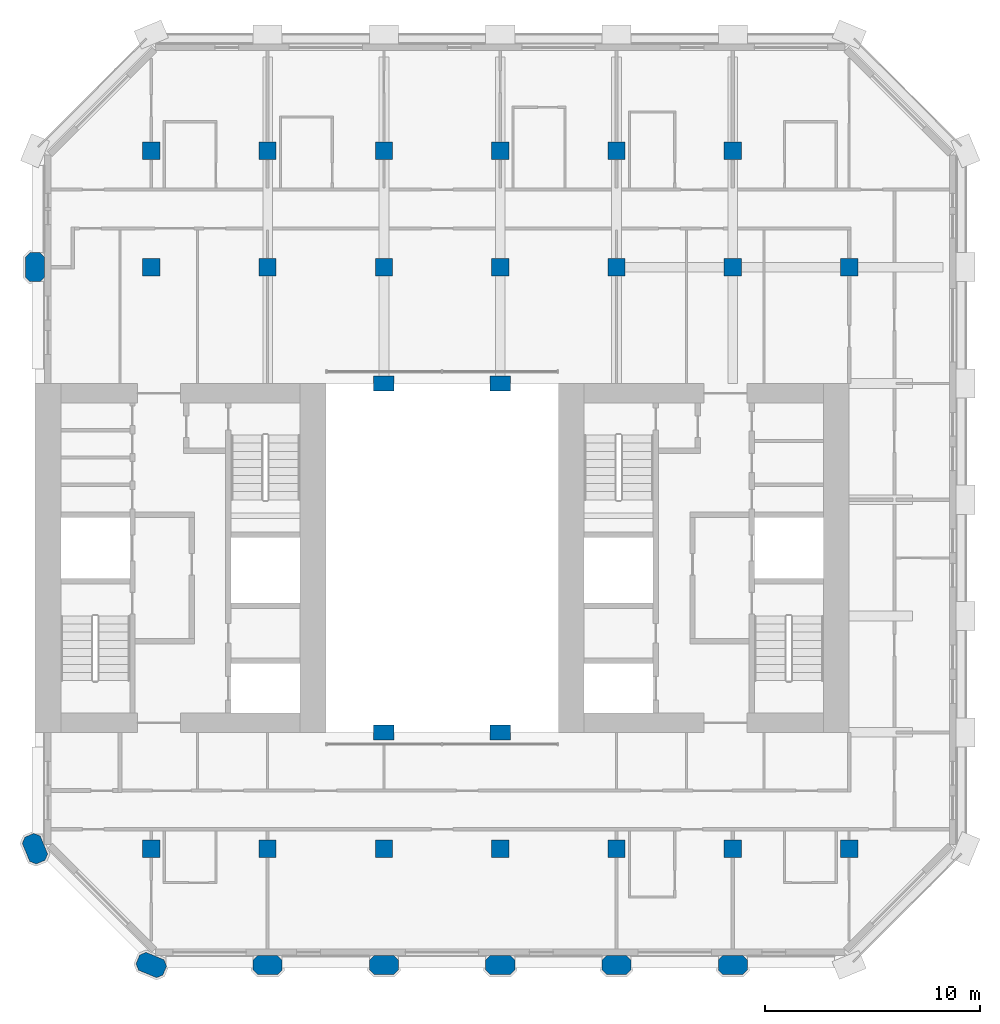
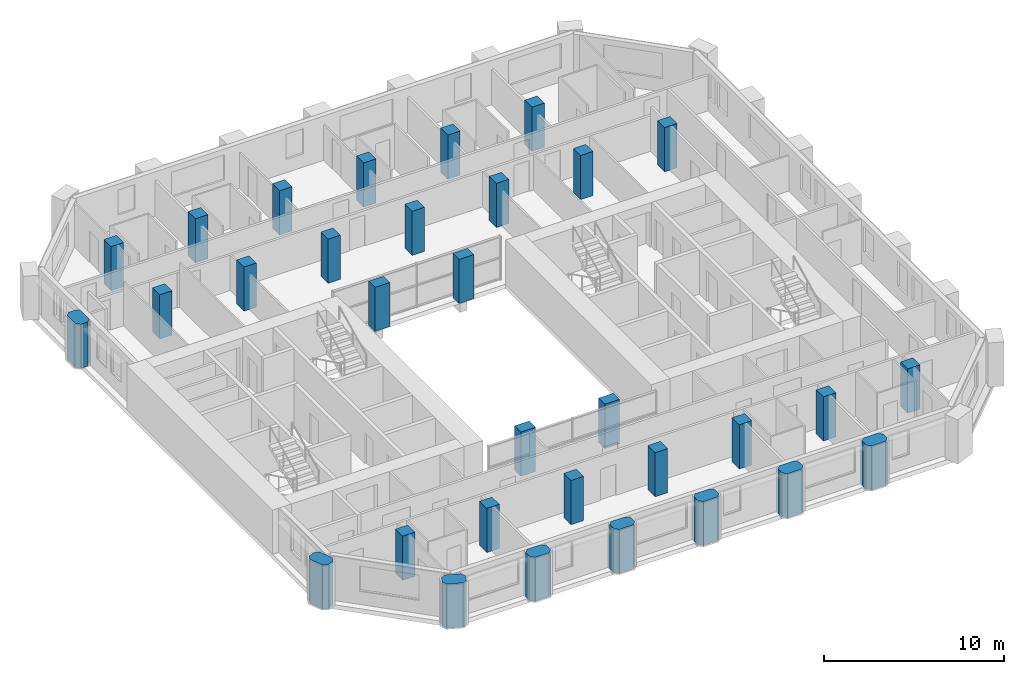
# One storey, part 1 of 12: 32 columns.
"""IFC4 building model written with IfcOpenShell, lengths in metres."""

from ifc_helpers import new_model, si_unit, direction, frame, origin, origin_2d, place, context, subcontext, project, spatial, polyline, rectangle, outline, extrude, material, material_profile, profile_set, type_object, element, save


model = new_model("IFC4")

# Units and contexts
model_context = context("Model", 3, precision=1e-05, world=origin(), true_north=direction((0.0, 1.0)))
body_context = subcontext(model_context, "Body", "Model", "MODEL_VIEW")
ifc_project = project(units=[si_unit("LENGTHUNIT", "METRE"), si_unit("AREAUNIT", "SQUARE_METRE"), si_unit("VOLUMEUNIT", "CUBIC_METRE"), si_unit("PLANEANGLEUNIT", "RADIAN"), si_unit("MASSUNIT", "GRAM", prefix="KILO")], contexts=[model_context])

# Site, building, storey
site_placement = place(None, origin())
site = spatial("IfcSite", under=ifc_project, at=site_placement, CompositionType="ELEMENT")
building_placement = place(site_placement, origin())
building = spatial("IfcBuilding", under=site, at=building_placement, Name="Tabaq Tower and Sports Hall", CompositionType="ELEMENT")
storey_placement = place(building_placement, frame((0.0, 0.0, 193.89990234375)))
storey = spatial("IfcBuildingStorey", under=building, at=storey_placement, Name="L47", CompositionType="ELEMENT", Elevation=193.89990234375)

# Columns
ifc_material_1 = material(Name="Concrete C50/60", Category="concrete")
ifc_material_profile_1 = material_profile(ifc_material_1, rectangle(XDim=0.949951171875, YDim=0.699951171875, at=origin_2d()), Name="ATRIUM COLUMN 950x700")
ifc_profile_set_1 = profile_set([ifc_material_profile_1], Name="Concrete C50/60")
column_type_1 = type_object("IfcColumnType", Name="RC COLUMN ATRIUM COLUMN 950x700 C50/60", PredefinedType="COLUMN", material=ifc_profile_set_1)
for number, where, z_axis, x_axis, name in (
    (1, (21.60009765625, 16.199951171875, 0.0), (0.0, 0.0, 1.0), (1.0, 0.0, 0.0), "Atrium Column 5/D L47"),
    (2, (27.0, 16.199951171875, 0.0), (0.0, 0.0, 1.0), (1.0, 0.0, 0.0), "Atrium Column 6/D L47"),
    (3, (21.60009765625, 32.39990234375, 0.0), (0.0, 0.0, 1.0), (1.0, 0.0, 0.0), "Atrium Column 5/G L47"),
    (4, (27.0, 32.39990234375, 0.0), (0.0, 0.0, 1.0), (1.0, 0.0, 0.0), "Atrium Column 6/G L47"),
):
    element("IfcColumn", number, at=place(storey_placement, frame(where, z_axis=z_axis, x_axis=x_axis)), inside=storey, type_object=column_type_1, Name=name, PredefinedType="COLUMN", context=body_context, shape_type="SweptSolid", body=[
        extrude(rectangle(XDim=0.949951171875, YDim=0.699951171875, at=origin_2d()), origin(), (0.0, 0.0, 1.0), 3.0),
    ])
ifc_material_2 = material(Name="Concrete C50/60", Category="concrete")
ifc_material_profile_2 = material_profile(ifc_material_2, rectangle(XDim=0.800048828125, YDim=0.800048828125, at=origin_2d()), Name="COLUMN 800x800")
ifc_profile_set_2 = profile_set([ifc_material_profile_2], Name="Concrete C50/60")
column_type_2 = type_object("IfcColumnType", Name="RC COLUMN COLUMN 800x800 C50/60", PredefinedType="COLUMN", material=ifc_profile_set_2)
for number, where, z_axis, x_axis, name in (
    (5, (10.800048828125, 10.800048828125, 0.0), (0.0, 0.0, 1.0), (1.0, 0.0, 0.0), "Column 3/C L47"),
    (6, (16.199951171875, 10.800048828125, 0.0), (0.0, 0.0, 1.0), (1.0, 0.0, 0.0), "Column 4/C L47"),
    (7, (21.60009765625, 10.800048828125, 0.0), (0.0, 0.0, 1.0), (1.0, 0.0, 0.0), "Column 5/C L47"),
    (8, (27.0, 10.800048828125, 0.0), (0.0, 0.0, 1.0), (1.0, 0.0, 0.0), "Column 6/C L47"),
    (9, (32.39990234375, 10.800048828125, 0.0), (0.0, 0.0, 1.0), (1.0, 0.0, 0.0), "Column 7/C L47"),
    (10, (37.800048828125, 10.800048828125, 0.0), (0.0, 0.0, 1.0), (1.0, 0.0, 0.0), "Column 8/C L47"),
    (11, (43.199951171875, 10.800048828125, 0.0), (0.0, 0.0, 1.0), (1.0, 0.0, 0.0), "Column 9/C L47"),
    (12, (10.800048828125, 37.800048828125, 0.0), (0.0, 0.0, 1.0), (1.0, 0.0, 0.0), "Column 3/H L47"),
    (13, (16.199951171875, 37.800048828125, 0.0), (0.0, 0.0, 1.0), (1.0, 0.0, 0.0), "Column 4/H L47"),
    (14, (21.60009765625, 37.800048828125, 0.0), (0.0, 0.0, 1.0), (1.0, 0.0, 0.0), "Column 5/H L47"),
    (15, (27.0, 37.800048828125, 0.0), (0.0, 0.0, 1.0), (1.0, 0.0, 0.0), "Column 6/H L47"),
    (16, (32.39990234375, 37.800048828125, 0.0), (0.0, 0.0, 1.0), (1.0, 0.0, 0.0), "Column 7/H L47"),
    (17, (37.800048828125, 37.800048828125, 0.0), (0.0, 0.0, 1.0), (1.0, 0.0, 0.0), "Column 8/H L47"),
    (18, (43.199951171875, 37.800048828125, 0.0), (0.0, 0.0, 1.0), (1.0, 0.0, 0.0), "Column 9/H L47"),
    (19, (10.800048828125, 43.199951171875, 0.0), (0.0, 0.0, 1.0), (1.0, 0.0, 0.0), "Column 3/I L47"),
    (20, (16.199951171875, 43.199951171875, 0.0), (0.0, 0.0, 1.0), (1.0, 0.0, 0.0), "Column 4/I L47"),
    (21, (21.60009765625, 43.199951171875, 0.0), (0.0, 0.0, 1.0), (1.0, 0.0, 0.0), "Column 5/I L47"),
    (22, (27.0, 43.199951171875, 0.0), (0.0, 0.0, 1.0), (1.0, 0.0, 0.0), "Column 6/I L47"),
    (23, (32.39990234375, 43.199951171875, 0.0), (0.0, 0.0, 1.0), (1.0, 0.0, 0.0), "Column 7/I L47"),
    (24, (37.800048828125, 43.199951171875, 0.0), (0.0, 0.0, 1.0), (1.0, 0.0, 0.0), "Column 8/I L47"),
):
    element("IfcColumn", number, at=place(storey_placement, frame(where, z_axis=z_axis, x_axis=x_axis)), inside=storey, type_object=column_type_2, Name=name, PredefinedType="COLUMN", context=body_context, shape_type="SweptSolid", body=[
        extrude(rectangle(XDim=0.800048828125, YDim=0.800048828125, at=origin_2d()), origin(), (0.0, 0.0, 1.0), 3.0),
    ])
ifc_material_3 = material(Name="Concrete C50/60", Category="concrete")
ifc_material_profile_3 = material_profile(ifc_material_3, outline(polyline([(-0.449951171875, -0.449951171875), (0.449951171875, -0.449951171875), (0.675048828125, -0.22509765625), (0.675048828125, 0.22509765625), (0.449951171875, 0.449951171875), (-0.449951171875, 0.449951171875), (-0.675048828125, 0.22509765625), (-0.675048828125, -0.22509765625), (-0.449951171875, -0.449951171875)])), Name="PIER 1350x900")
ifc_profile_set_3 = profile_set([ifc_material_profile_3], Name="Concrete C50/60")
column_type_3 = type_object("IfcColumnType", Name="RC COLUMN PIER 1350x900 C50/60", PredefinedType="COLUMN", material=ifc_profile_set_3)
for number, where, z_axis, x_axis, name in (
    (25, (10.800048828125, 5.39990234375, 0.0), (0.0, 0.0, 1.0), (-0.923879532511, 0.382683432365, 0.0), "Pier 3/B L47"),
    (26, (16.199951171875, 5.39990234375, 0.0), (0.0, 0.0, 1.0), (1.0, 0.0, 0.0), "Pier 4/B L47"),
    (27, (21.60009765625, 5.39990234375, 0.0), (0.0, 0.0, 1.0), (1.0, 0.0, 0.0), "Pier 5/B L47"),
    (28, (27.0, 5.39990234375, 0.0), (0.0, 0.0, 1.0), (1.0, 0.0, 0.0), "Pier 6/B L47"),
    (29, (32.39990234375, 5.39990234375, 0.0), (0.0, 0.0, 1.0), (1.0, 0.0, 0.0), "Pier 7/B L47"),
    (30, (37.800048828125, 5.39990234375, 0.0), (0.0, 0.0, 1.0), (1.0, 0.0, 0.0), "Pier 8/B L47"),
    (31, (5.39990234375, 10.800048828125, 0.0), (0.0, 0.0, 1.0), (-0.382683432365, 0.923879532511, 0.0), "Pier 2/C L47"),
    (32, (5.39990234375, 37.800048828125, 0.0), (0.0, 0.0, 1.0), (0.0, 1.0, 0.0), "Pier 2/H L47"),
):
    element("IfcColumn", number, at=place(storey_placement, frame(where, z_axis=z_axis, x_axis=x_axis)), inside=storey, type_object=column_type_3, Name=name, PredefinedType="COLUMN", context=body_context, shape_type="SweptSolid", body=[
        extrude(outline(polyline([(-0.449951171875, -0.449951171875), (0.449951171875, -0.449951171875), (0.675048828125, -0.22509765625), (0.675048828125, 0.22509765625), (0.449951171875, 0.449951171875), (-0.449951171875, 0.449951171875), (-0.675048828125, 0.22509765625), (-0.675048828125, -0.22509765625), (-0.449951171875, -0.449951171875)])), origin(), (0.0, 0.0, 1.0), 3.0),
    ])

save(model, "model.ifc")
